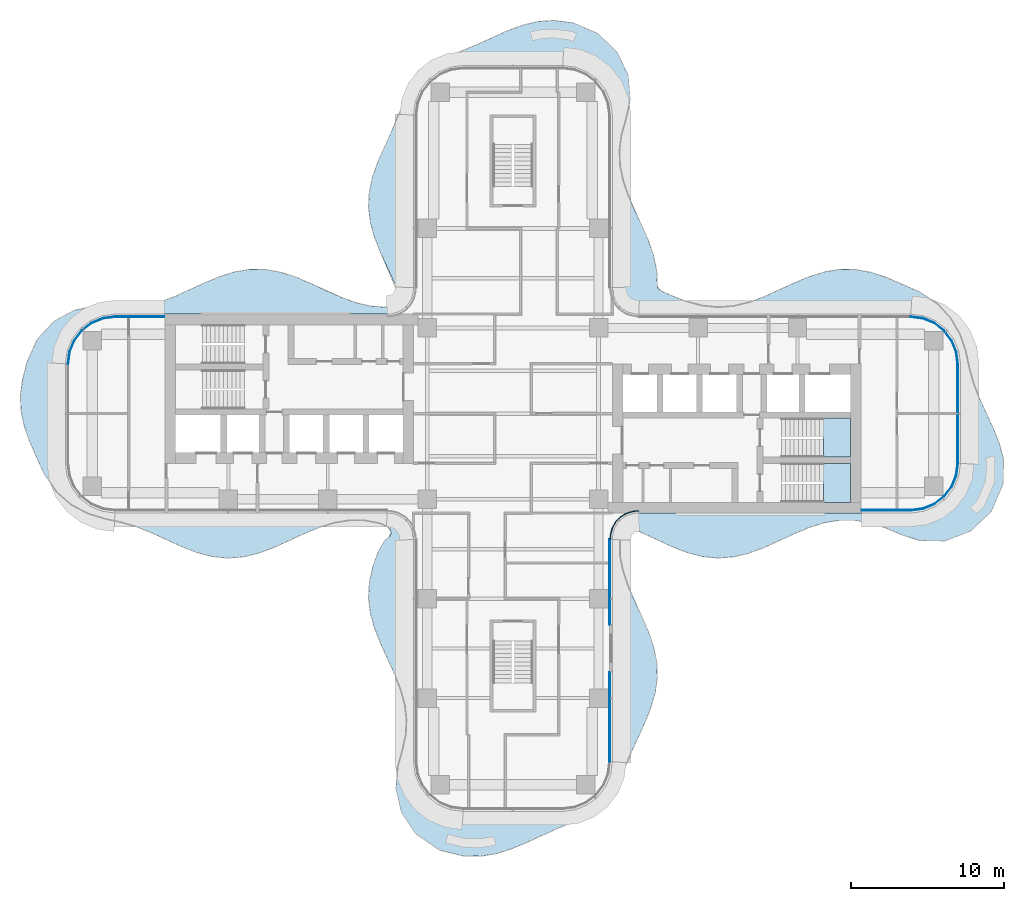
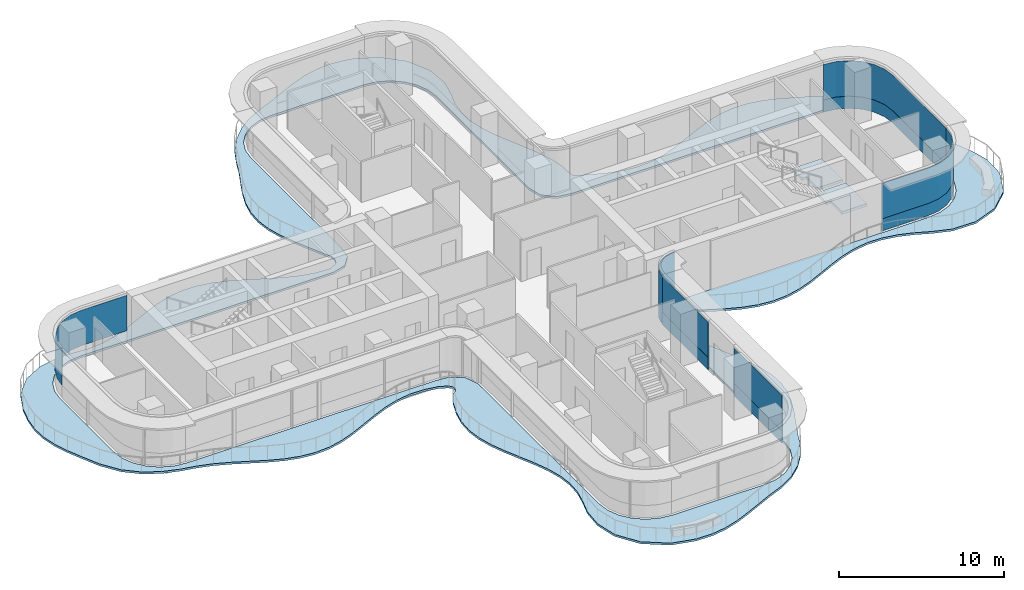
# One storey, part 11 of 18: 10 plates, 3 slabs, 8 elements without a shape of their own.
"""IFC4 building model written with IfcOpenShell, lengths in metres."""

import ifcopenshell
import ifcopenshell.guid

model = None  # the IFC model being written
_history = None  # IfcOwnerHistory: only IFC2X3 demands one
_inside = {}  # id of a spatial element -> (the spatial element, [elements in it])
_under = {}  # id of a project, library or spatial element -> (it, [spatial elements below it])
_declared = {}  # id of a project -> (the project, [libraries it declares])
_typed = {}  # id of a type object -> (the type object, [elements of that type])
_made_of = {}  # id of a material, layer set ... -> (it, [elements and type objects made of it])


def new_model(schema):
    """Start an empty IFC model of exactly this schema.

    Asked for "IFC4X3", IfcOpenShell would pick the latest addendum, in which some entities
    have other attributes; the version numbers below select the first issue.
    IFC2X3 requires an IfcOwnerHistory on every rooted entity: one is made here for all.
    """
    global model, _history
    if schema == "IFC4X3":
        model = ifcopenshell.file(schema_version=(4, 3, 0, 0))
    else:
        model = ifcopenshell.file(schema=schema)
    _inside.clear()
    _under.clear()
    _declared.clear()
    _typed.clear()
    _made_of.clear()
    _history = None
    if model.schema == "IFC2X3":
        org = make("IfcOrganization", Name="unknown")
        user = make(
            "IfcPersonAndOrganization",
            ThePerson=make("IfcPerson", FamilyName="unknown"),
            TheOrganization=org,
        )
        app = make(
            "IfcApplication",
            ApplicationDeveloper=org,
            Version="unknown",
            ApplicationFullName="unknown",
            ApplicationIdentifier="unknown",
        )
        _history = make(
            "IfcOwnerHistory",
            OwningUser=user,
            OwningApplication=app,
            ChangeAction="ADDED",
            CreationDate=0,
        )
    return model


def make(cls, **values):
    """One entity of the class cls with the attributes given. An attribute that is None is left unset."""
    return model.create_entity(
        cls, **{name: value for name, value in values.items() if value is not None}
    )


def rooted(cls, **values):
    """An entity with a GlobalId (a new one), such as an element, a storey or a relation."""
    return make(cls, GlobalId=ifcopenshell.guid.new(), OwnerHistory=_history, **values)


def si_unit(unit_type, name, prefix=None):
    """IfcSIUnit, for example si_unit("LENGTHUNIT", "METRE", prefix="MILLI")."""
    return make("IfcSIUnit", UnitType=unit_type, Prefix=prefix, Name=name)


def assignment(units):
    """IfcUnitAssignment: the units of a project."""
    return None if units is None else make("IfcUnitAssignment", Units=units)


def point(xyz):
    """IfcCartesianPoint."""
    return None if xyz is None else make("IfcCartesianPoint", Coordinates=xyz)


def direction(xyz):
    """IfcDirection."""
    return None if xyz is None else make("IfcDirection", DirectionRatios=xyz)


def frame(location, z_axis=None, x_axis=None):
    """IfcAxis2Placement3D, a coordinate frame: its origin and axes. An axis left out is left unset."""
    return make(
        "IfcAxis2Placement3D",
        Location=point(location),
        Axis=direction(z_axis),
        RefDirection=direction(x_axis),
    )


def origin():
    """The frame at (0, 0, 0) with its axes left unset."""
    return frame((0.0, 0.0, 0.0))


def place(relative_to, where):
    """IfcLocalPlacement: puts the frame where relative to a parent placement (None: the world)."""
    return make(
        "IfcLocalPlacement", PlacementRelTo=relative_to, RelativePlacement=where
    )


def context(
    kind, dimensions, precision=None, world=None, true_north=None, identifier=None
):
    """IfcGeometricRepresentationContext, for example the 3D "Model" context."""
    return make(
        "IfcGeometricRepresentationContext",
        ContextIdentifier=identifier,
        ContextType=kind,
        CoordinateSpaceDimension=dimensions,
        Precision=precision,
        WorldCoordinateSystem=world,
        TrueNorth=true_north,
    )


def subcontext(parent, identifier, kind, view, scale=None):
    """IfcGeometricRepresentationSubContext, for example "Body" below "Model"."""
    return make(
        "IfcGeometricRepresentationSubContext",
        ContextIdentifier=identifier,
        ContextType=kind,
        ParentContext=parent,
        TargetScale=scale,
        TargetView=view,
    )


def project(units=None, contexts=None):
    """IfcProject with its units and contexts."""
    return rooted(
        "IfcProject",
        Name="project",
        RepresentationContexts=contexts,
        UnitsInContext=assignment(units),
    )


def spatial(cls, under=None, at=None, **own):
    """A site, building, storey or space (cls), placed at a placement, below another one or the project."""
    s = rooted(cls, ObjectPlacement=at, **own)
    if under is not None:
        _under.setdefault(under.id(), (under, []))[1].append(s)
    return s


def polyline(points):
    """IfcPolyline through the points."""
    return make("IfcPolyline", Points=[point(p) for p in points])


def outline(outer, holes=None, kind="AREA"):
    """IfcArbitraryClosedProfileDef: a profile drawn as a closed curve; with holes, ...WithVoids."""
    if holes is None:
        return make("IfcArbitraryClosedProfileDef", ProfileType=kind, OuterCurve=outer)
    return make(
        "IfcArbitraryProfileDefWithVoids",
        ProfileType=kind,
        OuterCurve=outer,
        InnerCurves=holes,
    )


def extrude(swept, where, along, depth):
    """IfcExtrudedAreaSolid: the profile swept, set in the frame where, extruded along a direction by depth."""
    return make(
        "IfcExtrudedAreaSolid",
        SweptArea=swept,
        Position=where,
        ExtrudedDirection=direction(along),
        Depth=depth,
    )


def shape(context_of_items, identifier, shape_type, items):
    """IfcShapeRepresentation: the items that make up one representation, for example the "Body"."""
    return make(
        "IfcShapeRepresentation",
        ContextOfItems=context_of_items,
        RepresentationIdentifier=identifier,
        RepresentationType=shape_type,
        Items=items,
    )


def source(mapping_origin, context_of_items, identifier, shape_type, items):
    """IfcRepresentationMap: a shape defined once, which mapped items show again and again."""
    return make(
        "IfcRepresentationMap",
        MappingOrigin=mapping_origin,
        MappedRepresentation=shape(context_of_items, identifier, shape_type, items),
    )


def transform(
    local_origin,
    x_axis=None,
    y_axis=None,
    z_axis=None,
    scale=None,
    scale2=None,
    scale3=None,
    uniform=True,
):
    """IfcCartesianTransformationOperator3D, or its non-uniform kind. x_axis, y_axis, z_axis: its Axis1, 2, 3."""
    if uniform:
        return make(
            "IfcCartesianTransformationOperator3D",
            Axis1=direction(x_axis),
            Axis2=direction(y_axis),
            LocalOrigin=point(local_origin),
            Scale=scale,
            Axis3=direction(z_axis),
        )
    return make(
        "IfcCartesianTransformationOperator3DnonUniform",
        Axis1=direction(x_axis),
        Axis2=direction(y_axis),
        LocalOrigin=point(local_origin),
        Scale=scale,
        Axis3=direction(z_axis),
        Scale2=scale2,
        Scale3=scale3,
    )


def mapped(mapping_source, mapping_target):
    """IfcMappedItem: shows the shape of a source again, moved by a transform."""
    return make(
        "IfcMappedItem", MappingSource=mapping_source, MappingTarget=mapping_target
    )


def material(Name=None, Category=None):
    """IfcMaterial."""
    return make("IfcMaterial", Name=Name, Category=Category)


def layer(
    of_material, thickness, ventilated=None, Name=None, Category=None, Priority=None
):
    """IfcMaterialLayer: one layer of a wall or slab, of a material (None: an air gap)."""
    return make(
        "IfcMaterialLayer",
        Material=of_material,
        LayerThickness=thickness,
        IsVentilated=ventilated,
        Name=Name,
        Category=Category,
        Priority=Priority,
    )


def layer_set(layers, Name=None):
    """IfcMaterialLayerSet."""
    return make("IfcMaterialLayerSet", MaterialLayers=layers, LayerSetName=Name)


def made_of(thing, what):
    """Note that an element or type object is made of a material, layer set ...; save() writes the relation."""
    if what is not None:
        _made_of.setdefault(what.id(), (what, []))[1].append(thing)
    return thing


def type_object(cls, material=None, **own):
    """A type object (cls), such as IfcWallType, which elements share."""
    return made_of(rooted(cls, **own), material)


def element(
    cls,
    number,
    at=None,
    inside=None,
    cuts=None,
    type_object=None,
    material=None,
    context=None,
    identifier="Body",
    shape_type=None,
    held_by="IfcProductDefinitionShape",
    body=None,
    shapes=None,
    **own,
):
    """One element of the class cls, such as IfcWall. Its Tag is "e" and its number.

    at: its placement. inside: the storey or other place that contains it. cuts: it is an
    opening in that element (IfcRelVoidsElement). A single representation is given by context,
    identifier, shape_type and body (its items); several are given by shapes. held_by: the class
    of the entity that holds the representations. save() writes the other relations.
    """
    e = rooted(cls, Tag="e%d" % number, ObjectPlacement=at, **own)
    if body is not None:
        shapes = [shape(context, identifier, shape_type, body)]
    if shapes is not None:
        e.Representation = make(held_by, Representations=shapes)
    if inside is not None:
        _inside.setdefault(inside.id(), (inside, []))[1].append(e)
    if cuts is not None:
        rooted(
            "IfcRelVoidsElement", RelatingBuildingElement=cuts, RelatedOpeningElement=e
        )
    if type_object is not None:
        _typed.setdefault(type_object.id(), (type_object, []))[1].append(e)
    return made_of(e, material)


def aggregate(whole, parts):
    """IfcRelAggregates: a whole, such as a stair, and the parts it consists of."""
    return rooted("IfcRelAggregates", RelatingObject=whole, RelatedObjects=parts)


def save(model, path):
    """Write the relations noted so far, then the file.

    IfcRelAggregates (storeys below a building ...), IfcRelContainedInSpatialStructure (elements
    in a storey), IfcRelDefinesByType, IfcRelAssociatesMaterial and IfcRelDeclares: one each for
    every whole, place, type object, material and project.
    """
    for whole, parts in _under.values():
        aggregate(whole, parts)
    for where, things in _inside.values():
        rooted(
            "IfcRelContainedInSpatialStructure",
            RelatedElements=things,
            RelatingStructure=where,
        )
    for kind, things in _typed.values():
        rooted("IfcRelDefinesByType", RelatedObjects=things, RelatingType=kind)
    for what, things in _made_of.values():
        rooted("IfcRelAssociatesMaterial", RelatedObjects=things, RelatingMaterial=what)
    for by, libraries in _declared.values():
        rooted("IfcRelDeclares", RelatingContext=by, RelatedDefinitions=libraries)
    model.write(path)


model = new_model("IFC4")

# Units and contexts
model_context = context("Model", 3, precision=1e-05, world=origin(), true_north=direction((0.0, 1.0)))
body_context = subcontext(model_context, "Body", "Model", "MODEL_VIEW")
ifc_project = project(units=[si_unit("LENGTHUNIT", "METRE"), si_unit("AREAUNIT", "SQUARE_METRE"), si_unit("VOLUMEUNIT", "CUBIC_METRE"), si_unit("PLANEANGLEUNIT", "RADIAN"), si_unit("MASSUNIT", "GRAM", prefix="KILO")], contexts=[model_context])

# Site, building, storey
site_placement = place(None, origin())
site = spatial("IfcSite", under=ifc_project, at=site_placement, CompositionType="ELEMENT")
building_placement = place(site_placement, origin())
building = spatial("IfcBuilding", under=site, at=building_placement, Name="Trellis Farm Tower", CompositionType="ELEMENT")
storey_placement = place(building_placement, frame((0.0, 0.0, 193.199951171875)))
storey = spatial("IfcBuildingStorey", under=building, at=storey_placement, Name="L42", CompositionType="ELEMENT", Elevation=193.199951171875)

# Slab
ifc_material_1 = material(Name="Concrete C40/50", Category="concrete")
ifc_layer_1 = layer(ifc_material_1, 0.14990234375)
ifc_layer_set_1 = layer_set([ifc_layer_1], Name="Balcony slab 150")
slab_type_1 = type_object("IfcSlabType", Name="Balcony slab 150", PredefinedType="FLOOR", material=ifc_layer_set_1)
slab_1_placement = place(storey_placement, frame((0.0, 0.0, -0.14990234375)))
element("IfcSlab", 1, at=slab_1_placement, inside=storey, type_object=slab_type_1, Name="Balcony slab", PredefinedType="FLOOR", context=body_context, shape_type="SweptSolid", body=[
    extrude(outline(polyline([(-17.66162109375, -9.37548828125), (-18.634521484375, -9.447265625), (-18.660400390625, -9.447021484375), (-19.630615234375, -9.349853515625), (-19.6533203125, -9.345703125), (-20.626708984375, -9.0927734375), (-20.642578125, -9.087646484375), (-21.61279296875, -8.715576171875), (-21.62158203125, -8.7119140625), (-23.6064453125, -7.80126953125), (-23.609619140625, -7.7998046875), (-24.62548828125, -7.387939453125), (-24.6328125, -7.385498046875), (-25.619384765625, -7.096435546875), (-25.625, -7.09521484375), (-26.67236328125, -6.873046875), (-26.685791015625, -6.86962890625), (-27.766357421875, -6.532958984375), (-27.791259765625, -6.522705078125), (-28.831787109375, -5.97802734375), (-28.860107421875, -5.958740234375), (-29.796630859375, -5.151611328125), (-29.822265625, -5.123046875), (-30.623779296875, -3.958251953125), (-30.636474609375, -3.93603515625), (-31.18310546875, -2.751708984375), (-31.184326171875, -2.74853515625), (-31.611572265625, -1.76708984375), (-31.615966796875, -1.755859375), (-31.950927734375, -0.7783203125), (-31.9560546875, -0.759521484375), (-32.1533203125, 0.2119140625), (-32.15625, 0.236572265625), (-32.1904296875, 1.206787109375), (-32.189208984375, 1.23291015625), (-32.05029296875, 2.232421875), (-32.046875, 2.249755859375), (-31.7509765625, 3.3818359375), (-31.74267578125, 3.4052734375), (-31.110595703125, 4.815673828125), (-31.083984375, 4.855712890625), (-29.998046875, 6.037109375), (-29.957763671875, 6.068359375), (-28.680908203125, 6.743408203125), (-28.642578125, 6.757568359375), (-27.39501953125, 7.027099609375), (-27.363037109375, 7.030517578125), (-26.19091796875, 7.02880859375), (-26.179931640625, 7.0283203125), (-25.164306640625, 6.95263671875), (-25.153076171875, 6.952880859375), (-24.114501953125, 7.03271484375), (-24.1025390625, 7.034423828125), (-23.123779296875, 7.272216796875), (-23.115234375, 7.274658203125), (-22.156005859375, 7.630126953125), (-22.15087890625, 7.632080078125), (-20.154541015625, 8.54443359375), (-20.14990234375, 8.54638671875), (-19.15087890625, 8.962646484375), (-19.1376953125, 8.96728515625), (-18.177490234375, 9.265869140625), (-18.156982421875, 9.2705078125), (-17.1865234375, 9.4287109375), (-17.160888671875, 9.4306640625), (-16.16064453125, 9.419921875), (-16.13525390625, 9.417236328125), (-15.164306640625, 9.239501953125), (-15.144775390625, 9.234619140625), (-14.168212890625, 8.914794921875), (-14.156005859375, 8.91015625), (-13.177490234375, 8.492431640625), (-13.1728515625, 8.490478515625), (-12.1796875, 8.026611328125), (-12.17822265625, 8.02587890625), (-11.193603515625, 7.58984375), (-11.188232421875, 7.587890625), (-10.165283203125, 7.224853515625), (-10.156494140625, 7.22216796875), (-9.219482421875, 7.01513671875), (-9.207763671875, 7.013427734375), (-8.312744140625, 6.96044921875), (-8.2939453125, 6.961669921875), (-8.14404296875, 6.9912109375), (-8.126708984375, 6.996826171875), (-7.727294921875, 7.18505859375), (-7.71337890625, 7.193603515625), (-7.613037109375, 7.271484375), (-7.592529296875, 7.296142578125), (-7.534423828125, 7.4091796875), (-7.52880859375, 7.42431640625), (-7.451904296875, 7.716552734375), (-7.449951171875, 7.742919921875), (-7.47119140625, 7.958251953125), (-7.478271484375, 7.9833984375), (-7.7421875, 8.52587890625), (-7.743408203125, 8.52880859375), (-8.654296875, 10.510009765625), (-8.657470703125, 10.517578125), (-9.0517578125, 11.516357421875), (-9.056884765625, 11.531494140625), (-9.321533203125, 12.48779296875), (-9.32568359375, 12.509765625), (-9.443603515625, 13.480224609375), (-9.4443359375, 13.506103515625), (-9.393798828125, 14.478271484375), (-9.390380859375, 14.50244140625), (-9.176513671875, 15.4814453125), (-9.171142578125, 15.499755859375), (-8.820556640625, 16.48681640625), (-8.81640625, 16.4970703125), (-8.376708984375, 17.49169921875), (-8.375244140625, 17.494384765625), (-7.914306640625, 18.481201171875), (-7.912841796875, 18.48486328125), (-7.48193359375, 19.55029296875), (-7.47900390625, 19.55712890625), (-6.974853515625, 20.6474609375), (-6.960693359375, 20.671875), (-6.26953125, 21.63916015625), (-6.25390625, 21.657470703125), (-5.486328125, 22.431640625), (-5.469482421875, 22.4462890625), (-4.56640625, 23.118896484375), (-4.54296875, 23.13330078125), (-3.46435546875, 23.662353515625), (-3.45458984375, 23.666748046875), (-2.36572265625, 24.106201171875), (-2.362548828125, 24.107666015625), (-0.37890625, 25.0146484375), (-0.368408203125, 25.018798828125), (0.619140625, 25.383544921875), (0.636474609375, 25.388671875), (1.6162109375, 25.621826171875), (1.64013671875, 25.62548828125), (2.61328125, 25.6962890625), (2.642578125, 25.69580078125), (3.93017578125, 25.53662109375), (3.97119140625, 25.525390625), (5.509521484375, 24.860595703125), (5.53369140625, 24.847412109375), (5.5625, 24.827880859375), (5.58349609375, 24.81103515625), (6.787109375, 23.639404296875), (6.804443359375, 23.618896484375), (6.82470703125, 23.59033203125), (6.83837890625, 23.567138671875), (7.522216796875, 22.1123046875), (7.531494140625, 22.087158203125), (7.540283203125, 22.0537109375), (7.544921875, 22.026611328125), (7.661865234375, 20.515869140625), (7.65869140625, 20.47216796875), (7.393798828125, 19.269775390625), (7.391357421875, 19.260498046875), (7.096435546875, 18.2333984375), (7.09423828125, 18.22265625), (6.96044921875, 17.232666015625), (6.959716796875, 17.2197265625), (6.996826171875, 16.2373046875), (6.998291015625, 16.22509765625), (7.198486328125, 15.24609375), (7.201171875, 15.23681640625), (7.527587890625, 14.28271484375), (7.52978515625, 14.277099609375), (7.964599609375, 13.275146484375), (7.965576171875, 13.273193359375), (8.43115234375, 12.277099609375), (8.432861328125, 12.2734375), (8.861572265625, 11.28857421875), (8.865966796875, 11.27734375), (9.200927734375, 10.2998046875), (9.2060546875, 10.281005859375), (9.4033203125, 9.309326171875), (9.40625, 9.284912109375), (9.442626953125, 8.298583984375), (9.4501953125, 8.268310546875), (9.505615234375, 8.15576171875), (9.52685546875, 8.1298828125), (9.632080078125, 8.048828125), (9.64697265625, 8.0400390625), (10.408935546875, 7.693359375), (10.4130859375, 7.691650390625), (11.39501953125, 7.314453125), (11.40283203125, 7.31201171875), (12.382080078125, 7.056396484375), (12.393310546875, 7.05419921875), (13.373779296875, 6.9541015625), (13.38671875, 6.953857421875), (14.37353515625, 7.02392578125), (14.38525390625, 7.02587890625), (15.37939453125, 7.260009765625), (15.387939453125, 7.2626953125), (16.386962890625, 7.6298828125), (16.39208984375, 7.632080078125), (18.388427734375, 8.54443359375), (18.39306640625, 8.54638671875), (19.391845703125, 8.962646484375), (19.4052734375, 8.96728515625), (20.389404296875, 9.271484375), (20.41015625, 9.2763671875), (21.38623046875, 9.430908203125), (21.41162109375, 9.432861328125), (22.382568359375, 9.419921875), (22.407470703125, 9.41748046875), (23.378662109375, 9.239501953125), (23.398193359375, 9.234619140625), (24.374267578125, 8.914794921875), (24.387451171875, 8.909912109375), (26.53759765625, 7.974853515625), (26.560791015625, 7.96240234375), (27.731201171875, 7.187255859375), (27.75927734375, 7.1630859375), (28.599609375, 6.2412109375), (28.618408203125, 6.21533203125), (29.2119140625, 5.1923828125), (29.22412109375, 5.16552734375), (29.59033203125, 4.0947265625), (29.59521484375, 4.0771484375), (29.824462890625, 2.986572265625), (29.825439453125, 2.98193359375), (30.103515625, 1.9794921875), (30.106201171875, 1.971923828125), (30.4951171875, 0.989990234375), (30.496826171875, 0.986083984375), (31.407958984375, -0.997314453125), (31.4111328125, -1.0048828125), (31.79541015625, -1.976318359375), (31.80078125, -1.9921875), (32.065673828125, -2.968994140625), (32.07080078125, -3.01171875), (32.035400390625, -4.555419921875), (32.031982421875, -4.583984375), (32.0244140625, -4.619140625), (32.015869140625, -4.64599609375), (31.294189453125, -6.342041015625), (31.279052734375, -6.369384765625), (31.256103515625, -6.402099609375), (31.23583984375, -6.425537109375), (29.91796875, -7.662841796875), (29.894775390625, -7.6806640625), (29.862548828125, -7.70068359375), (29.836181640625, -7.7138671875), (28.247802734375, -8.3154296875), (28.220703125, -8.322998046875), (28.185302734375, -8.3291015625), (28.156494140625, -8.33154296875), (26.606201171875, -8.303466796875), (26.5625, -8.29638671875), (25.384521484375, -7.9140625), (25.371826171875, -7.909423828125), (24.39111328125, -7.49169921875), (24.385009765625, -7.489501953125), (23.40478515625, -7.167724609375), (23.394775390625, -7.1650390625), (22.357421875, -6.978515625), (22.344482421875, -6.977294921875), (21.360595703125, -6.9716796875), (21.34814453125, -6.97265625), (20.368896484375, -7.1337890625), (20.358642578125, -7.13623046875), (19.37890625, -7.4423828125), (19.372314453125, -7.44482421875), (18.388671875, -7.85546875), (18.386474609375, -7.8564453125), (16.4111328125, -8.760009765625), (16.40087890625, -8.764404296875), (15.422119140625, -9.12744140625), (15.405029296875, -9.132568359375), (14.4326171875, -9.367431640625), (14.40869140625, -9.37109375), (13.40869140625, -9.447265625), (13.38232421875, -9.447021484375), (12.412353515625, -9.349853515625), (12.3896484375, -9.345703125), (11.416259765625, -9.0927734375), (11.400390625, -9.087646484375), (10.42041015625, -8.711669921875), (10.411376953125, -8.707763671875), (8.44677734375, -7.799072265625), (8.44189453125, -7.796875), (7.94873046875, -7.547607421875), (7.923095703125, -7.5400390625), (7.70361328125, -7.516845703125), (7.6767578125, -7.518798828125), (7.4287109375, -7.583984375), (7.4130859375, -7.590087890625), (7.2978515625, -7.64990234375), (7.27294921875, -7.671142578125), (7.19482421875, -7.775146484375), (7.1865234375, -7.78955078125), (6.994873046875, -8.218994140625), (6.98974609375, -8.235107421875), (6.962646484375, -8.37255859375), (6.96142578125, -8.389892578125), (6.996826171875, -9.3056640625), (6.998291015625, -9.3173828125), (7.186767578125, -10.252685546875), (7.189208984375, -10.261962890625), (7.537841796875, -11.28662109375), (7.5400390625, -11.292236328125), (7.968505859375, -12.276611328125), (7.969482421875, -12.2783203125), (8.43310546875, -13.27001953125), (8.434814453125, -13.27392578125), (8.86669921875, -14.267578125), (8.87109375, -14.279052734375), (9.206787109375, -15.264892578125), (9.2119140625, -15.2841796875), (9.40673828125, -16.26220703125), (9.409423828125, -16.286865234375), (9.43896484375, -17.258544921875), (9.4375, -17.283935546875), (9.3046875, -18.2294921875), (9.30029296875, -18.250732421875), (9.01318359375, -19.23388671875), (9.008056640625, -19.248291015625), (8.6025390625, -20.2470703125), (8.599853515625, -20.253173828125), (7.691162109375, -22.232666015625), (7.690185546875, -22.2353515625), (7.242431640625, -23.3203125), (7.235107421875, -23.335693359375), (6.658203125, -24.381103515625), (6.643798828125, -24.402587890625), (5.933349609375, -25.283203125), (5.915283203125, -25.302001953125), (5.068603515625, -26.041015625), (5.04541015625, -26.0576171875), (3.98291015625, -26.6748046875), (3.964599609375, -26.68359375), (2.8671875, -27.13671875), (2.864501953125, -27.137939453125), (0.883056640625, -28.04443359375), (0.87841796875, -28.04638671875), (-0.10498046875, -28.45703125), (-0.118408203125, -28.4619140625), (-1.093994140625, -28.765869140625), (-1.114501953125, -28.770751953125), (-2.084716796875, -28.9287109375), (-2.11083984375, -28.9306640625), (-3.212890625, -28.916015625), (-3.24609375, -28.911865234375), (-4.771240234375, -28.54296875), (-4.79736328125, -28.533935546875), (-4.830078125, -28.519287109375), (-4.85400390625, -28.505859375), (-6.306884765625, -27.501708984375), (-6.32861328125, -27.4833984375), (-6.3544921875, -27.45703125), (-6.372314453125, -27.43505859375), (-7.286865234375, -26.056640625), (-7.2998046875, -26.03271484375), (-7.313720703125, -26.00048828125), (-7.322265625, -25.973876953125), (-7.6396484375, -24.53662109375), (-7.642578125, -24.492919921875), (-7.539794921875, -23.123291015625), (-7.53466796875, -23.093994140625), (-7.226318359375, -21.993896484375), (-7.225341796875, -21.98974609375), (-7.00732421875, -20.982421875), (-7.005615234375, -20.97021484375), (-6.95703125, -19.984130859375), (-6.95751953125, -19.9716796875), (-7.068115234375, -19.043212890625), (-7.0703125, -19.032470703125), (-7.341796875, -18.036865234375), (-7.34423828125, -18.029052734375), (-7.73779296875, -17.02880859375), (-7.739501953125, -17.02490234375), (-8.654296875, -15.03271484375), (-8.657470703125, -15.025390625), (-9.0458984375, -14.044189453125), (-9.051025390625, -14.029296875), (-9.321533203125, -13.05517578125), (-9.325927734375, -13.033203125), (-9.443603515625, -12.06298828125), (-9.4443359375, -12.036865234375), (-9.389892578125, -11.03662109375), (-9.38671875, -11.01220703125), (-9.17041015625, -10.04052734375), (-9.165283203125, -10.022216796875), (-8.813232421875, -9.043701171875), (-8.802490234375, -9.02001953125), (-8.402587890625, -8.31982421875), (-8.38232421875, -8.29248046875), (-8.3525390625, -8.26025390625), (-8.32666015625, -8.238037109375), (-8.1337890625, -8.107421875), (-8.1201171875, -8.095458984375), (-8.025390625, -7.989990234375), (-8.0087890625, -7.958251953125), (-7.974609375, -7.82080078125), (-7.972412109375, -7.802490234375), (-7.97265625, -7.74951171875), (-7.975341796875, -7.7294921875), (-8.01708984375, -7.57958984375), (-8.037109375, -7.5458984375), (-8.149658203125, -7.438720703125), (-8.166015625, -7.4267578125), (-8.61181640625, -7.1875), (-8.62255859375, -7.182861328125), (-8.71435546875, -7.15087890625), (-8.72607421875, -7.147705078125), (-9.685791015625, -6.978515625), (-9.6982421875, -6.977294921875), (-10.68212890625, -6.9716796875), (-10.69482421875, -6.97265625), (-11.67431640625, -7.1337890625), (-11.684326171875, -7.13623046875), (-12.63330078125, -7.43115234375), (-12.639892578125, -7.43359375), (-13.654296875, -7.85546875), (-13.656494140625, -7.8564453125), (-15.6318359375, -8.760009765625), (-15.64208984375, -8.764404296875), (-16.640625, -9.13330078125), (-16.657958984375, -9.138671875), (-17.637939453125, -9.371826171875), (-17.66162109375, -9.37548828125)]), holes=[polyline([(-6.672119140625, 7.48828125), (-7.201171875, 6.84423828125), (-7.23388671875, 6.814697265625), (-7.279052734375, 6.784423828125), (-7.320068359375, 6.765380859375), (-8.194091796875, 6.5087890625), (-8.236083984375, 6.502685546875), (-21.130615234375, 6.50048828125), (-26.0, 6.50048828125), (-26.84130859375, 6.389892578125), (-27.625244140625, 6.065185546875), (-28.298583984375, 5.548583984375), (-28.815185546875, 4.875244140625), (-29.139892578125, 4.09130859375), (-29.25048828125, 3.25), (-29.25048828125, -3.25), (-29.139892578125, -4.09130859375), (-28.815185546875, -4.875244140625), (-28.298583984375, -5.548583984375), (-27.625244140625, -6.065185546875), (-26.84130859375, -6.389892578125), (-26.0, -6.50048828125), (-8.66748046875, -6.50048828125), (-8.6669921875, -6.50048828125), (-7.740234375, -6.58544921875), (-7.7041015625, -6.59326171875), (-7.66015625, -6.608642578125), (-7.627197265625, -6.625), (-6.92724609375, -7.08642578125), (-6.892822265625, -7.117919921875), (-6.857421875, -7.162109375), (-6.83349609375, -7.2041015625), (-6.5205078125, -8.05517578125), (-6.51123046875, -8.105224609375), (-6.50048828125, -8.99609375), (-6.50048828125, -22.75), (-6.389892578125, -23.59130859375), (-6.065185546875, -24.375244140625), (-5.548583984375, -25.048583984375), (-4.875244140625, -25.565185546875), (-4.09130859375, -25.889892578125), (-3.25, -26.00048828125), (3.25, -26.00048828125), (4.09130859375, -25.889892578125), (4.875244140625, -25.565185546875), (5.548583984375, -25.048583984375), (6.065185546875, -24.375244140625), (6.389892578125, -23.59130859375), (6.50048828125, -22.75), (6.50048828125, -8.321044921875), (6.50439453125, -8.290283203125), (6.720458984375, -7.40380859375), (6.737060546875, -7.363037109375), (6.764404296875, -7.31689453125), (6.79150390625, -7.283203125), (7.401611328125, -6.717041015625), (7.43701171875, -6.692626953125), (7.485107421875, -6.668701171875), (7.526611328125, -6.655517578125), (8.429931640625, -6.502197265625), (8.44775390625, -6.50048828125), (26.0, -6.50048828125), (26.84130859375, -6.389892578125), (27.625244140625, -6.065185546875), (28.298583984375, -5.548583984375), (28.815185546875, -4.875244140625), (29.139892578125, -4.09130859375), (29.25048828125, -3.25), (29.25048828125, 3.25), (29.139892578125, 4.09130859375), (28.815185546875, 4.875244140625), (28.298583984375, 5.548583984375), (27.625244140625, 6.065185546875), (26.84130859375, 6.389892578125), (26.0, 6.50048828125), (8.44775390625, 6.50048828125), (8.429931640625, 6.502197265625), (7.526611328125, 6.655517578125), (7.485107421875, 6.668701171875), (7.43701171875, 6.692626953125), (7.401611328125, 6.717041015625), (6.79150390625, 7.283203125), (6.764404296875, 7.31689453125), (6.737060546875, 7.363037109375), (6.720458984375, 7.40380859375), (6.50439453125, 8.290283203125), (6.50048828125, 8.321044921875), (6.50048828125, 19.5), (6.389892578125, 20.34130859375), (6.065185546875, 21.125244140625), (5.548583984375, 21.798583984375), (4.875244140625, 22.315185546875), (4.09130859375, 22.639892578125), (3.25, 22.75048828125), (-3.25, 22.75048828125), (-4.09130859375, 22.639892578125), (-4.875244140625, 22.315185546875), (-5.548583984375, 21.798583984375), (-6.065185546875, 21.125244140625), (-6.389892578125, 20.34130859375), (-6.50048828125, 19.5), (-6.50048828125, 8.536376953125), (-6.501220703125, 8.526611328125), (-6.618408203125, 7.612548828125), (-6.629638671875, 7.572021484375), (-6.650390625, 7.52392578125), (-6.672119140625, 7.48828125)])]), origin(), (0.0, 0.0, 1.0), 0.14990234375),
])

# Stair, slab
ifc_material_2 = material(Name="Concrete C50/60", Category="concrete")
stair_type = type_object("IfcStairType", Name="CORE EXIT STAIR 22 RISERS 177 MM", PredefinedType="HALF_TURN_STAIR", material=ifc_material_2)
placement_1 = place(storey_placement, origin())
stair_1 = element("IfcStair", 2, at=placement_1, inside=storey, type_object=stair_type, Name="Exit stair E1", PredefinedType="HALF_TURN_STAIR")
ifc_layer_2 = layer(ifc_material_2, 0.18994140625)
ifc_layer_set_2 = layer_set([ifc_layer_2], Name="CORE STAIR LANDING 190 CONCRETE C50/60")
slab_type_2 = type_object("IfcSlabType", Name="CORE STAIR LANDING 190 CONCRETE C50/60", PredefinedType="LANDING", material=ifc_layer_set_2)
shared_shape_1 = source(origin(), body_context, "Body", "SweptSolid", [
    extrude(outline(polyline([(20.2900390625, -5.800048828125), (20.2900390625, -4.60009765625), (20.300048828125, -4.60009765625), (20.300048828125, -4.449951171875), (19.971923828125, -4.449951171875), (19.971923828125, -3.25), (20.300048828125, -3.25), (22.050048828125, -3.25), (22.050048828125, -5.800048828125), (20.300048828125, -5.800048828125), (20.2900390625, -5.800048828125)])), origin(), (0.0, 0.0, 1.0), 0.18994140625),
])
placement_2 = place(storey_placement, frame((0.0, 0.0, 1.760009765625)))
slab_2 = element("IfcSlab", 3, at=placement_2, type_object=slab_type_2, Name="STE1 landing 1", PredefinedType="LANDING", context=body_context, shape_type="MappedRepresentation", body=[
    mapped(shared_shape_1, transform((0.0, 0.0, 0.0))),
])
aggregate(stair_1, [slab_2])

stair_2 = element("IfcStair", 4, at=placement_1, inside=storey, type_object=stair_type, Name="Exit stair E2", PredefinedType="HALF_TURN_STAIR")
shared_shape_2 = source(origin(), body_context, "Body", "SweptSolid", [
    extrude(outline(polyline([(20.2900390625, -2.85009765625), (20.2900390625, -1.64990234375), (20.300048828125, -1.64990234375), (20.300048828125, -1.5), (19.971923828125, -1.5), (19.971923828125, -0.300048828125), (20.300048828125, -0.300048828125), (22.050048828125, -0.300048828125), (22.050048828125, -2.85009765625), (20.300048828125, -2.85009765625), (20.2900390625, -2.85009765625)])), origin(), (0.0, 0.0, 1.0), 0.18994140625),
])
slab_3 = element("IfcSlab", 5, at=placement_2, type_object=slab_type_2, Name="STE2 landing 1", PredefinedType="LANDING", context=body_context, shape_type="MappedRepresentation", body=[
    mapped(shared_shape_2, transform((0.0, 0.0, 0.0))),
])
aggregate(stair_2, [slab_3])

# Curtain wall, plate
ifc_material_3 = material(Name="Aluminium and glass curtain wall", Category="aluminium")
ifc_layer_3 = layer(ifc_material_3, 0.166015625)
ifc_layer_set_3 = layer_set([ifc_layer_3], Name="WINTER GARDEN CURTAIN WALL CW3")
curtain_wall_type_1 = type_object("IfcCurtainWallType", Name="WINTER GARDEN CURTAIN WALL CW3", PredefinedType="NOTDEFINED", material=ifc_layer_set_3)
curtain_wall_1 = element("IfcCurtainWall", 6, at=placement_1, inside=storey, type_object=curtain_wall_type_1, Name="CW3 002", PredefinedType="NOTDEFINED")
ifc_material_4 = material(Name="Clear insulated glass", Category="glass")
ifc_layer_4 = layer(ifc_material_4, 0.0458984375)
ifc_layer_set_4 = layer_set([ifc_layer_4], Name="CW3 GLASS PANEL 46")
plate_type_1 = type_object("IfcPlateType", Name="CW3 GLASS PANEL 46", PredefinedType="CURTAIN_PANEL", material=ifc_layer_set_4)
shared_shape_3 = source(origin(), body_context, "Body", "SweptSolid", [
    extrude(outline(polyline([(6.3798828125, -8.2275390625), (6.394287109375, -8.0078125), (6.40966796875, -7.89208984375), (6.52490234375, -7.462158203125), (6.7509765625, -7.070556640625), (7.070556640625, -6.7509765625), (7.462158203125, -6.52490234375), (7.89208984375, -6.40966796875), (8.0078125, -6.394287109375), (8.2275390625, -6.3798828125), (8.22607421875, -6.333984375), (8.003173828125, -6.3486328125), (7.883056640625, -6.364501953125), (7.4443359375, -6.48193359375), (7.04248046875, -6.714111328125), (6.714111328125, -7.04248046875), (6.48193359375, -7.4443359375), (6.364501953125, -7.883056640625), (6.3486328125, -8.003173828125), (6.333984375, -8.22607421875), (6.3798828125, -8.2275390625)])), origin(), (0.0, 0.0, 1.0), 3.550048828125),
])
plate_1 = element("IfcPlate", 7, at=placement_1, type_object=plate_type_1, Name="PL3 002", PredefinedType="CURTAIN_PANEL", context=body_context, shape_type="MappedRepresentation", body=[
    mapped(shared_shape_3, transform((0.0, 0.0, 0.0))),
])
aggregate(curtain_wall_1, [plate_1])

# Curtain wall, plates
ifc_layer_5 = layer(ifc_material_3, 0.18994140625)
ifc_layer_set_5 = layer_set([ifc_layer_5], Name="RIBBON CURTAIN WALL CW1")
curtain_wall_type_2 = type_object("IfcCurtainWallType", Name="RIBBON CURTAIN WALL CW1", PredefinedType="NOTDEFINED", material=ifc_layer_set_5)
curtain_wall_2 = element("IfcCurtainWall", 8, at=placement_1, inside=storey, type_object=curtain_wall_type_2, Name="CW1 006", PredefinedType="NOTDEFINED")
ifc_layer_6 = layer(ifc_material_4, 0.0400390625)
ifc_layer_set_6 = layer_set([ifc_layer_6], Name="CW1 GLASS PANEL 40")
plate_type_2 = type_object("IfcPlateType", Name="CW1 GLASS PANEL 40", PredefinedType="CURTAIN_PANEL", material=ifc_layer_set_6)
shared_shape_4 = source(origin(), body_context, "Body", "SweptSolid", [
    extrude(outline(polyline([(22.780029296875, -6.35009765625), (25.990234375, -6.35009765625), (26.802001953125, -6.2431640625), (27.54931640625, -5.93359375), (28.191162109375, -5.441162109375), (28.68359375, -4.79931640625), (28.9931640625, -4.052001953125), (29.10009765625, -3.240234375), (29.06005859375, -3.237548828125), (28.9541015625, -4.04150390625), (28.648681640625, -4.779296875), (28.16259765625, -5.41259765625), (27.529296875, -5.898681640625), (26.79150390625, -6.2041015625), (25.987548828125, -6.31005859375), (22.780029296875, -6.31005859375), (22.780029296875, -6.35009765625)])), origin(), (0.0, 0.0, 1.0), 2.619873046875),
])
placement_3 = place(storey_placement, frame((0.0, 0.0, 0.900146484375)))
plate_2 = element("IfcPlate", 9, at=placement_3, type_object=plate_type_2, Name="PL1 006", PredefinedType="CURTAIN_PANEL", context=body_context, shape_type="MappedRepresentation", body=[
    mapped(shared_shape_4, transform((0.0, 0.0, 0.0))),
])
ifc_material_5 = material(Name="Sandstone faced insulated panel", Category="masonry")
ifc_layer_7 = layer(ifc_material_5, 0.050048828125)
ifc_layer_set_7 = layer_set([ifc_layer_7], Name="CW1 STONE SPANDREL PANEL 50")
plate_type_3 = type_object("IfcPlateType", Name="CW1 STONE SPANDREL PANEL 50", PredefinedType="CURTAIN_PANEL", material=ifc_layer_set_7)
shared_shape_5 = source(origin(), body_context, "Body", "SweptSolid", [
    extrude(outline(polyline([(22.780029296875, -6.35009765625), (25.990234375, -6.35009765625), (26.802001953125, -6.2431640625), (27.54931640625, -5.93359375), (28.191162109375, -5.441162109375), (28.68359375, -4.79931640625), (28.9931640625, -4.052001953125), (29.10009765625, -3.240234375), (29.050048828125, -3.23681640625), (28.9443359375, -4.0390625), (28.639892578125, -4.774169921875), (28.155517578125, -5.405517578125), (27.524169921875, -5.889892578125), (26.7890625, -6.1943359375), (25.98681640625, -6.300048828125), (22.780029296875, -6.300048828125), (22.780029296875, -6.35009765625)])), origin(), (0.0, 0.0, 1.0), 0.900146484375),
])
plate_3 = element("IfcPlate", 10, at=placement_1, type_object=plate_type_3, Name="PS1 006", PredefinedType="CURTAIN_PANEL", context=body_context, shape_type="MappedRepresentation", body=[
    mapped(shared_shape_5, transform((0.0, 0.0, 0.0))),
])
aggregate(curtain_wall_2, [plate_2, plate_3])

curtain_wall_3 = element("IfcCurtainWall", 11, at=placement_1, inside=storey, type_object=curtain_wall_type_2, Name="CW1 007", PredefinedType="NOTDEFINED")
shared_shape_6 = source(origin(), body_context, "Body", "SweptSolid", [
    extrude(outline(polyline([(29.10009765625, -3.240234375), (29.10009765625, 3.240234375), (28.9931640625, 4.052001953125), (28.68359375, 4.79931640625), (28.191162109375, 5.441162109375), (27.54931640625, 5.93359375), (26.802001953125, 6.2431640625), (25.990234375, 6.35009765625), (25.987548828125, 6.31005859375), (26.79150390625, 6.2041015625), (27.529296875, 5.898681640625), (28.16259765625, 5.41259765625), (28.648681640625, 4.779296875), (28.9541015625, 4.04150390625), (29.06005859375, 3.237548828125), (29.06005859375, -3.237548828125), (29.10009765625, -3.240234375)])), origin(), (0.0, 0.0, 1.0), 2.619873046875),
])
plate_4 = element("IfcPlate", 12, at=placement_3, type_object=plate_type_2, Name="PL1 007", PredefinedType="CURTAIN_PANEL", context=body_context, shape_type="MappedRepresentation", body=[
    mapped(shared_shape_6, transform((0.0, 0.0, 0.0))),
])
shared_shape_7 = source(origin(), body_context, "Body", "SweptSolid", [
    extrude(outline(polyline([(29.10009765625, -3.240234375), (29.10009765625, 3.240234375), (28.9931640625, 4.052001953125), (28.68359375, 4.79931640625), (28.191162109375, 5.441162109375), (27.54931640625, 5.93359375), (26.802001953125, 6.2431640625), (25.990234375, 6.35009765625), (25.98681640625, 6.300048828125), (26.7890625, 6.1943359375), (27.524169921875, 5.889892578125), (28.155517578125, 5.405517578125), (28.639892578125, 4.774169921875), (28.9443359375, 4.0390625), (29.050048828125, 3.23681640625), (29.050048828125, -3.23681640625), (29.10009765625, -3.240234375)])), origin(), (0.0, 0.0, 1.0), 0.900146484375),
])
plate_5 = element("IfcPlate", 13, at=placement_1, type_object=plate_type_3, Name="PS1 007", PredefinedType="CURTAIN_PANEL", context=body_context, shape_type="MappedRepresentation", body=[
    mapped(shared_shape_7, transform((0.0, 0.0, 0.0))),
])
aggregate(curtain_wall_3, [plate_4, plate_5])

# Curtain wall, plate
curtain_wall_4 = element("IfcCurtainWall", 14, at=placement_1, inside=storey, type_object=curtain_wall_type_2, Name="CW1 012", PredefinedType="NOTDEFINED")
shared_shape_8 = source(origin(), body_context, "Body", "SweptSolid", [
    extrude(outline(polyline([(-22.780029296875, 6.35009765625), (-25.990234375, 6.35009765625), (-26.802001953125, 6.2431640625), (-27.54931640625, 5.93359375), (-28.191162109375, 5.441162109375), (-28.68359375, 4.79931640625), (-28.9931640625, 4.052001953125), (-29.10009765625, 3.240234375), (-29.06005859375, 3.237548828125), (-28.9541015625, 4.04150390625), (-28.648681640625, 4.779296875), (-28.16259765625, 5.41259765625), (-27.529296875, 5.898681640625), (-26.79150390625, 6.2041015625), (-25.987548828125, 6.31005859375), (-22.780029296875, 6.31005859375), (-22.780029296875, 6.35009765625)])), origin(), (0.0, 0.0, 1.0), 2.619873046875),
])
plate_6 = element("IfcPlate", 15, at=placement_3, type_object=plate_type_2, Name="PL1 012", PredefinedType="CURTAIN_PANEL", context=body_context, shape_type="MappedRepresentation", body=[
    mapped(shared_shape_8, transform((0.0, 0.0, 0.0))),
])
aggregate(curtain_wall_4, [plate_6])

# Curtain wall, plates
curtain_wall_5 = element("IfcCurtainWall", 16, at=placement_1, inside=storey, type_object=curtain_wall_type_2, Name="CW1 004", PredefinedType="NOTDEFINED")
shared_shape_9 = source(origin(), body_context, "Body", "SweptSolid", [
    extrude(outline(polyline([(6.35009765625, -22.740234375), (6.35009765625, -16.909912109375), (6.31005859375, -16.909912109375), (6.31005859375, -22.737548828125), (6.35009765625, -22.740234375)])), origin(), (0.0, 0.0, 1.0), 2.619873046875),
])
plate_7 = element("IfcPlate", 17, at=placement_3, type_object=plate_type_2, Name="PL1 004", PredefinedType="CURTAIN_PANEL", context=body_context, shape_type="MappedRepresentation", body=[
    mapped(shared_shape_9, transform((0.0, 0.0, 0.0))),
])
shared_shape_10 = source(origin(), body_context, "Body", "SweptSolid", [
    extrude(outline(polyline([(6.35009765625, -22.740234375), (6.35009765625, -16.909912109375), (6.300048828125, -16.909912109375), (6.300048828125, -22.73681640625), (6.35009765625, -22.740234375)])), origin(), (0.0, 0.0, 1.0), 0.900146484375),
])
plate_8 = element("IfcPlate", 18, at=placement_1, type_object=plate_type_3, Name="PS1 004", PredefinedType="CURTAIN_PANEL", context=body_context, shape_type="MappedRepresentation", body=[
    mapped(shared_shape_10, transform((0.0, 0.0, 0.0))),
])
aggregate(curtain_wall_5, [plate_7, plate_8])

curtain_wall_6 = element("IfcCurtainWall", 19, at=placement_1, inside=storey, type_object=curtain_wall_type_2, Name="CW1 005", PredefinedType="NOTDEFINED")
shared_shape_11 = source(origin(), body_context, "Body", "SweptSolid", [
    extrude(outline(polyline([(6.35009765625, -13.7900390625), (6.35009765625, -8.2265625), (6.31005859375, -8.22509765625), (6.31005859375, -13.7900390625), (6.35009765625, -13.7900390625)])), origin(), (0.0, 0.0, 1.0), 2.619873046875),
])
plate_9 = element("IfcPlate", 20, at=placement_3, type_object=plate_type_2, Name="PL1 005", PredefinedType="CURTAIN_PANEL", context=body_context, shape_type="MappedRepresentation", body=[
    mapped(shared_shape_11, transform((0.0, 0.0, 0.0))),
])
shared_shape_12 = source(origin(), body_context, "Body", "SweptSolid", [
    extrude(outline(polyline([(6.35009765625, -13.7900390625), (6.35009765625, -8.2265625), (6.300048828125, -8.224853515625), (6.300048828125, -13.7900390625), (6.35009765625, -13.7900390625)])), origin(), (0.0, 0.0, 1.0), 0.900146484375),
])
plate_10 = element("IfcPlate", 21, at=placement_1, type_object=plate_type_3, Name="PS1 005", PredefinedType="CURTAIN_PANEL", context=body_context, shape_type="MappedRepresentation", body=[
    mapped(shared_shape_12, transform((0.0, 0.0, 0.0))),
])
aggregate(curtain_wall_6, [plate_9, plate_10])

save(model, "model.ifc")
